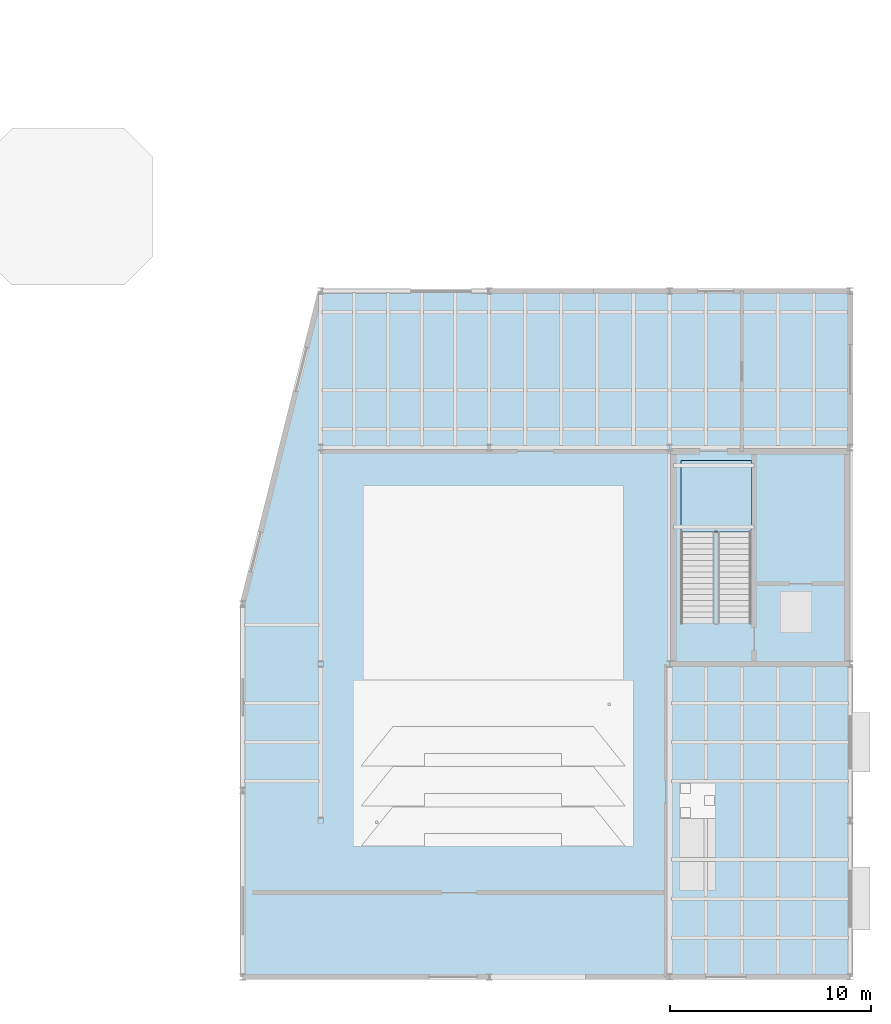
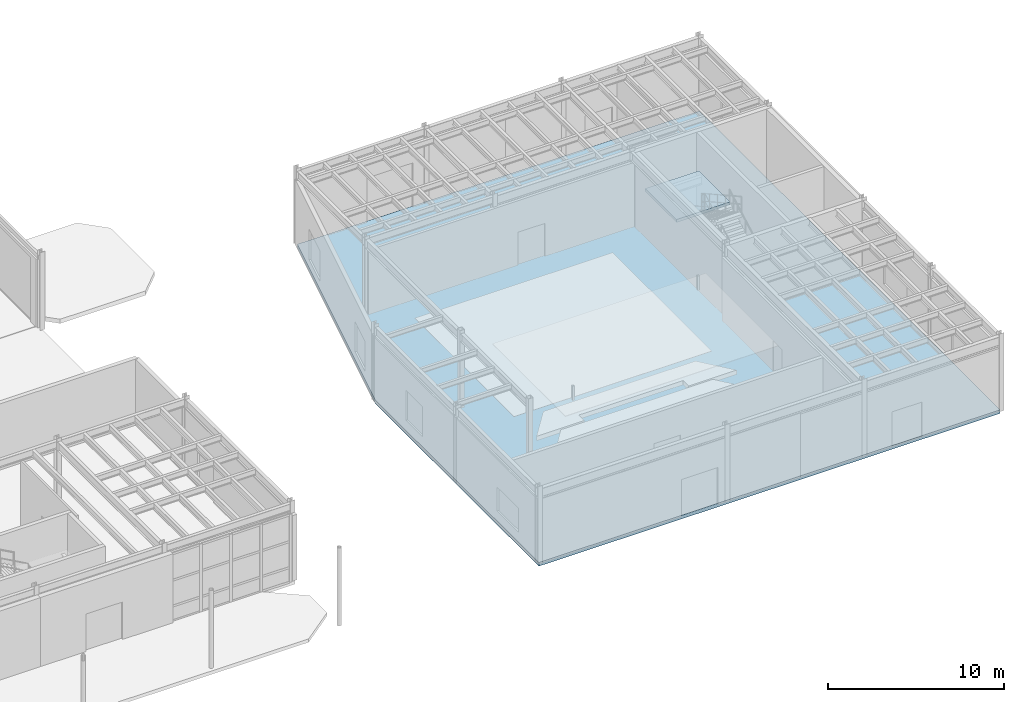
# One storey, part 60 of 87: 2 slabs, 1 element without a shape of its own.
"""IFC4 building model written with IfcOpenShell, lengths in metres."""

from ifc_helpers import new_model, si_unit, direction, frame, origin, place, context, subcontext, project, spatial, polyline, outline, extrude, material, layer, layer_set, type_object, element, aggregate, save


model = new_model("IFC4")

# Units and contexts
model_context = context("Model", 3, precision=1e-05, world=origin(), true_north=direction((0.0, 1.0)))
body_context = subcontext(model_context, "Body", "Model", "MODEL_VIEW")
ifc_project = project(units=[si_unit("LENGTHUNIT", "METRE"), si_unit("AREAUNIT", "SQUARE_METRE"), si_unit("VOLUMEUNIT", "CUBIC_METRE"), si_unit("PLANEANGLEUNIT", "RADIAN"), si_unit("MASSUNIT", "GRAM", prefix="KILO")], contexts=[model_context])

# Site, building, storey
site_placement = place(None, origin())
site = spatial("IfcSite", under=ifc_project, at=site_placement, CompositionType="ELEMENT")
building_placement = place(site_placement, origin())
building = spatial("IfcBuilding", under=site, at=building_placement, Name="Selat Folded Stagehouse", CompositionType="ELEMENT")
storey_placement = place(building_placement, origin())
storey = spatial("IfcBuildingStorey", under=building, at=storey_placement, Name="L00", CompositionType="ELEMENT", Elevation=0.0)

# Slab
ifc_material = material(Name="Concrete C40/50", Category="concrete")
ifc_layer_1 = layer(ifc_material, 0.25)
ifc_layer_set_1 = layer_set([ifc_layer_1], Name="Concrete C40/50")
slab_type_1 = type_object("IfcSlabType", Name="SLAB-FLR-250", PredefinedType="FLOOR", material=ifc_layer_set_1)
slab_1_placement = place(storey_placement, frame((0.0, 0.0, -0.25)))
element("IfcSlab", 1, at=slab_1_placement, inside=storey, type_object=slab_type_1, Name="L00 V3 floor slab SL-L00-V3", PredefinedType="FLOOR", context=body_context, shape_type="SweptSolid", body=[
    extrude(outline(polyline([(130.510498046875, 0.0), (160.800048828125, 0.0), (160.800048828125, 34.199951171875), (134.39990234375, 34.199951171875), (130.510498046875, 18.60009765625), (130.510498046875, 0.0)])), origin(), (0.0, 0.0, 1.0), 0.25),
])

# Stair, slab
stair_type = type_object("IfcStairType", Name="STR-DOG-1680-34R", PredefinedType="HALF_TURN_STAIR", material=ifc_material)
stair_placement = place(storey_placement, origin())
stair = element("IfcStair", 2, at=stair_placement, inside=storey, type_object=stair_type, Name="L00 Core 4 Studio East Core", PredefinedType="HALF_TURN_STAIR")
ifc_layer_2 = layer(ifc_material, 0.199951171875)
ifc_layer_set_2 = layer_set([ifc_layer_2], Name="Concrete C40/50")
slab_type_2 = type_object("IfcSlabType", Name="SLAB-STR-LDG-200", PredefinedType="LANDING", material=ifc_layer_set_2)
slab_2_placement = place(storey_placement, frame((0.0, 0.0, 2.5)))
slab_2 = element("IfcSlab", 3, at=slab_2_placement, type_object=slab_type_2, Name="ST-1680-34R landing 1", PredefinedType="LANDING", context=body_context, shape_type="SweptSolid", body=[
    extrude(outline(polyline([(155.8798828125, 22.18994140625), (155.8798828125, 25.75), (152.360107421875, 25.75), (152.360107421875, 22.18994140625), (155.8798828125, 22.18994140625)])), origin(), (0.0, 0.0, 1.0), 0.199951171875),
])
aggregate(stair, [slab_2])

save(model, "model.ifc")
